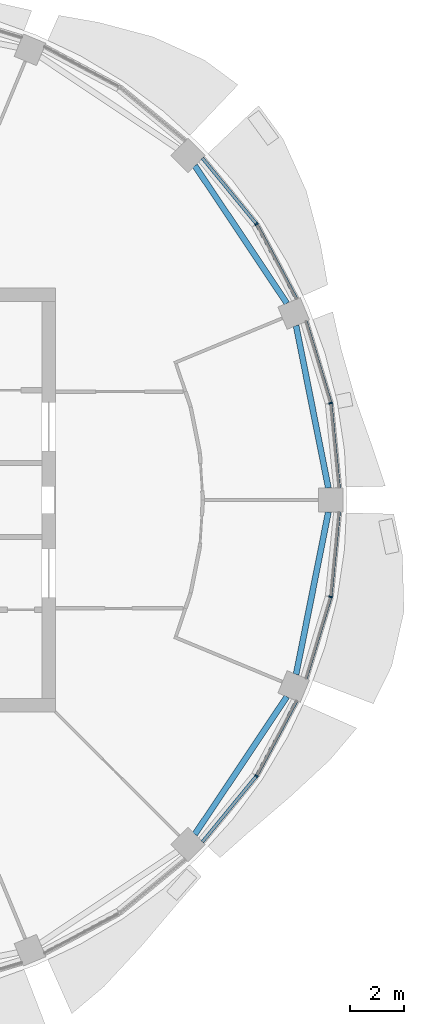
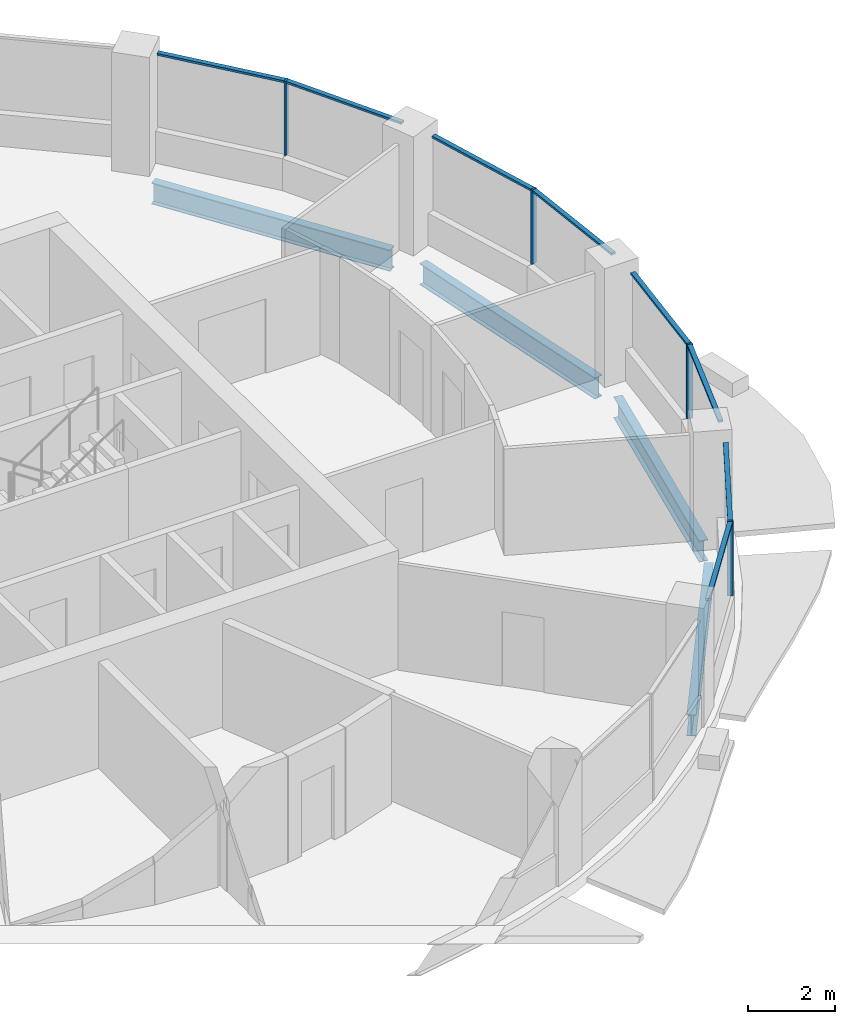
# One storey, part 5 of 15: 12 members, 4 beams, 4 elements without a shape of their own.
"""IFC4 building model written with IfcOpenShell, lengths in metres."""

import ifcopenshell
import ifcopenshell.guid

model = None  # the IFC model being written
_history = None  # IfcOwnerHistory: only IFC2X3 demands one
_inside = {}  # id of a spatial element -> (the spatial element, [elements in it])
_under = {}  # id of a project, library or spatial element -> (it, [spatial elements below it])
_declared = {}  # id of a project -> (the project, [libraries it declares])
_typed = {}  # id of a type object -> (the type object, [elements of that type])
_made_of = {}  # id of a material, layer set ... -> (it, [elements and type objects made of it])


def new_model(schema):
    """Start an empty IFC model of exactly this schema.

    Asked for "IFC4X3", IfcOpenShell would pick the latest addendum, in which some entities
    have other attributes; the version numbers below select the first issue.
    IFC2X3 requires an IfcOwnerHistory on every rooted entity: one is made here for all.
    """
    global model, _history
    if schema == "IFC4X3":
        model = ifcopenshell.file(schema_version=(4, 3, 0, 0))
    else:
        model = ifcopenshell.file(schema=schema)
    _inside.clear()
    _under.clear()
    _declared.clear()
    _typed.clear()
    _made_of.clear()
    _history = None
    if model.schema == "IFC2X3":
        org = make("IfcOrganization", Name="unknown")
        user = make(
            "IfcPersonAndOrganization",
            ThePerson=make("IfcPerson", FamilyName="unknown"),
            TheOrganization=org,
        )
        app = make(
            "IfcApplication",
            ApplicationDeveloper=org,
            Version="unknown",
            ApplicationFullName="unknown",
            ApplicationIdentifier="unknown",
        )
        _history = make(
            "IfcOwnerHistory",
            OwningUser=user,
            OwningApplication=app,
            ChangeAction="ADDED",
            CreationDate=0,
        )
    return model


def make(cls, **values):
    """One entity of the class cls with the attributes given. An attribute that is None is left unset."""
    return model.create_entity(
        cls, **{name: value for name, value in values.items() if value is not None}
    )


def rooted(cls, **values):
    """An entity with a GlobalId (a new one), such as an element, a storey or a relation."""
    return make(cls, GlobalId=ifcopenshell.guid.new(), OwnerHistory=_history, **values)


def si_unit(unit_type, name, prefix=None):
    """IfcSIUnit, for example si_unit("LENGTHUNIT", "METRE", prefix="MILLI")."""
    return make("IfcSIUnit", UnitType=unit_type, Prefix=prefix, Name=name)


def assignment(units):
    """IfcUnitAssignment: the units of a project."""
    return None if units is None else make("IfcUnitAssignment", Units=units)


def point(xyz):
    """IfcCartesianPoint."""
    return None if xyz is None else make("IfcCartesianPoint", Coordinates=xyz)


def direction(xyz):
    """IfcDirection."""
    return None if xyz is None else make("IfcDirection", DirectionRatios=xyz)


def frame(location, z_axis=None, x_axis=None):
    """IfcAxis2Placement3D, a coordinate frame: its origin and axes. An axis left out is left unset."""
    return make(
        "IfcAxis2Placement3D",
        Location=point(location),
        Axis=direction(z_axis),
        RefDirection=direction(x_axis),
    )


def frame_2d(location, x_axis=None):
    """IfcAxis2Placement2D, a coordinate frame in the plane: its origin and x axis."""
    return make(
        "IfcAxis2Placement2D", Location=point(location), RefDirection=direction(x_axis)
    )


def origin():
    """The frame at (0, 0, 0) with its axes left unset."""
    return frame((0.0, 0.0, 0.0))


def origin_2d():
    """The frame at (0, 0) in the plane with its x axis left unset."""
    return frame_2d((0.0, 0.0))


def place(relative_to, where):
    """IfcLocalPlacement: puts the frame where relative to a parent placement (None: the world)."""
    return make(
        "IfcLocalPlacement", PlacementRelTo=relative_to, RelativePlacement=where
    )


def context(
    kind, dimensions, precision=None, world=None, true_north=None, identifier=None
):
    """IfcGeometricRepresentationContext, for example the 3D "Model" context."""
    return make(
        "IfcGeometricRepresentationContext",
        ContextIdentifier=identifier,
        ContextType=kind,
        CoordinateSpaceDimension=dimensions,
        Precision=precision,
        WorldCoordinateSystem=world,
        TrueNorth=true_north,
    )


def subcontext(parent, identifier, kind, view, scale=None):
    """IfcGeometricRepresentationSubContext, for example "Body" below "Model"."""
    return make(
        "IfcGeometricRepresentationSubContext",
        ContextIdentifier=identifier,
        ContextType=kind,
        ParentContext=parent,
        TargetScale=scale,
        TargetView=view,
    )


def project(units=None, contexts=None):
    """IfcProject with its units and contexts."""
    return rooted(
        "IfcProject",
        Name="project",
        RepresentationContexts=contexts,
        UnitsInContext=assignment(units),
    )


def spatial(cls, under=None, at=None, **own):
    """A site, building, storey or space (cls), placed at a placement, below another one or the project."""
    s = rooted(cls, ObjectPlacement=at, **own)
    if under is not None:
        _under.setdefault(under.id(), (under, []))[1].append(s)
    return s


def profile(cls, at=None, kind="AREA", **sizes):
    """A parametric profile (cls). Its sizes go by their IFC names, for example OverallWidth=200.0."""
    return make(cls, ProfileType=kind, Position=at, **sizes)


def rectangle(**sizes):
    """IfcRectangleProfileDef."""
    return profile("IfcRectangleProfileDef", **sizes)


def i_section(**sizes):
    """IfcIShapeProfileDef."""
    return profile("IfcIShapeProfileDef", **sizes)


def extrude(swept, where, along, depth):
    """IfcExtrudedAreaSolid: the profile swept, set in the frame where, extruded along a direction by depth."""
    return make(
        "IfcExtrudedAreaSolid",
        SweptArea=swept,
        Position=where,
        ExtrudedDirection=direction(along),
        Depth=depth,
    )


def shape(context_of_items, identifier, shape_type, items):
    """IfcShapeRepresentation: the items that make up one representation, for example the "Body"."""
    return make(
        "IfcShapeRepresentation",
        ContextOfItems=context_of_items,
        RepresentationIdentifier=identifier,
        RepresentationType=shape_type,
        Items=items,
    )


def material(Name=None, Category=None):
    """IfcMaterial."""
    return make("IfcMaterial", Name=Name, Category=Category)


def material_profile(
    of_material, cross_section, Name=None, Category=None, Priority=None
):
    """IfcMaterialProfile: a cross section and its material."""
    return make(
        "IfcMaterialProfile",
        Name=Name,
        Material=of_material,
        Profile=cross_section,
        Priority=Priority,
        Category=Category,
    )


def profile_set(profiles, Name=None, composite=None):
    """IfcMaterialProfileSet."""
    return make(
        "IfcMaterialProfileSet",
        Name=Name,
        MaterialProfiles=profiles,
        CompositeProfile=composite,
    )


def made_of(thing, what):
    """Note that an element or type object is made of a material, layer set ...; save() writes the relation."""
    if what is not None:
        _made_of.setdefault(what.id(), (what, []))[1].append(thing)
    return thing


def type_object(cls, material=None, **own):
    """A type object (cls), such as IfcWallType, which elements share."""
    return made_of(rooted(cls, **own), material)


def element(
    cls,
    number,
    at=None,
    inside=None,
    cuts=None,
    type_object=None,
    material=None,
    context=None,
    identifier="Body",
    shape_type=None,
    held_by="IfcProductDefinitionShape",
    body=None,
    shapes=None,
    **own,
):
    """One element of the class cls, such as IfcWall. Its Tag is "e" and its number.

    at: its placement. inside: the storey or other place that contains it. cuts: it is an
    opening in that element (IfcRelVoidsElement). A single representation is given by context,
    identifier, shape_type and body (its items); several are given by shapes. held_by: the class
    of the entity that holds the representations. save() writes the other relations.
    """
    e = rooted(cls, Tag="e%d" % number, ObjectPlacement=at, **own)
    if body is not None:
        shapes = [shape(context, identifier, shape_type, body)]
    if shapes is not None:
        e.Representation = make(held_by, Representations=shapes)
    if inside is not None:
        _inside.setdefault(inside.id(), (inside, []))[1].append(e)
    if cuts is not None:
        rooted(
            "IfcRelVoidsElement", RelatingBuildingElement=cuts, RelatedOpeningElement=e
        )
    if type_object is not None:
        _typed.setdefault(type_object.id(), (type_object, []))[1].append(e)
    return made_of(e, material)


def aggregate(whole, parts):
    """IfcRelAggregates: a whole, such as a stair, and the parts it consists of."""
    return rooted("IfcRelAggregates", RelatingObject=whole, RelatedObjects=parts)


def save(model, path):
    """Write the relations noted so far, then the file.

    IfcRelAggregates (storeys below a building ...), IfcRelContainedInSpatialStructure (elements
    in a storey), IfcRelDefinesByType, IfcRelAssociatesMaterial and IfcRelDeclares: one each for
    every whole, place, type object, material and project.
    """
    for whole, parts in _under.values():
        aggregate(whole, parts)
    for where, things in _inside.values():
        rooted(
            "IfcRelContainedInSpatialStructure",
            RelatedElements=things,
            RelatingStructure=where,
        )
    for kind, things in _typed.values():
        rooted("IfcRelDefinesByType", RelatedObjects=things, RelatingType=kind)
    for what, things in _made_of.values():
        rooted("IfcRelAssociatesMaterial", RelatedObjects=things, RelatingMaterial=what)
    for by, libraries in _declared.values():
        rooted("IfcRelDeclares", RelatingContext=by, RelatedDefinitions=libraries)
    model.write(path)


model = new_model("IFC4")

# Units and contexts
model_context = context("Model", 3, precision=1e-05, world=origin(), true_north=direction((0.0, 1.0)))
body_context = subcontext(model_context, "Body", "Model", "MODEL_VIEW")
ifc_project = project(units=[si_unit("LENGTHUNIT", "METRE"), si_unit("AREAUNIT", "SQUARE_METRE"), si_unit("VOLUMEUNIT", "CUBIC_METRE"), si_unit("PLANEANGLEUNIT", "RADIAN"), si_unit("MASSUNIT", "GRAM", prefix="KILO")], contexts=[model_context])

# Site, building, storey
site_placement = place(None, origin())
site = spatial("IfcSite", under=ifc_project, at=site_placement, CompositionType="ELEMENT")
building_placement = place(site_placement, origin())
building = spatial("IfcBuilding", under=site, at=building_placement, Name="Polderwave Tower", CompositionType="ELEMENT")
storey_placement = place(building_placement, frame((0.0, 0.0, 170.89990234375)))
storey = spatial("IfcBuildingStorey", under=building, at=storey_placement, Name="L45", CompositionType="ELEMENT", Elevation=170.89990234375)

# Curtain wall, member
ifc_material_1 = material(Name="Aluminium 6063-T6 and glass", Category="aluminium")
curtain_wall_type = type_object("IfcCurtainWallType", Name="Office ribbon glazing wall", PredefinedType="NOTDEFINED", material=ifc_material_1)
curtain_wall_1_placement = place(storey_placement, origin())
curtain_wall_1 = element("IfcCurtainWall", 1, at=curtain_wall_1_placement, inside=storey, type_object=curtain_wall_type, Name="CW3 L45 00", PredefinedType="NOTDEFINED")
ifc_material_2 = material(Name="Aluminium 6063-T6", Category="aluminium")
ifc_material_profile_1 = material_profile(ifc_material_2, rectangle(XDim=0.139892578125, YDim=0.054931640625, at=origin_2d()), Name="AL 55x140")
ifc_profile_set_1 = profile_set([ifc_material_profile_1], Name="Aluminium 6063-T6")
member_type_1 = type_object("IfcMemberType", Name="Office ribbon glazing mullion 55x140", PredefinedType="MULLION", material=ifc_profile_set_1)
member_1_placement = place(storey_placement, frame((18.094970703125, 3.59912109375, 0.900146484375), z_axis=(0.0, 0.0, 1.0), x_axis=(-0.980783918392, -0.195097169184, 0.0)))
member_1 = element("IfcMember", 2, at=member_1_placement, type_object=member_type_1, Name="CW3 mullion 1", PredefinedType="MULLION", context=body_context, shape_type="SweptSolid", body=[
    extrude(rectangle(XDim=0.139892578125, YDim=0.054931640625, at=origin_2d()), origin(), (0.0, 0.0, 1.0), 2.099853515625),
])

curtain_wall_2_placement = place(storey_placement, origin())
curtain_wall_2 = element("IfcCurtainWall", 3, at=curtain_wall_2_placement, inside=storey, type_object=curtain_wall_type, Name="CW3 L45 01", PredefinedType="NOTDEFINED")
member_2_placement = place(storey_placement, frame((15.341064453125, 10.25, 0.900146484375), z_axis=(0.0, 0.0, 1.0), x_axis=(-0.831547176436, -0.555454132545, 0.0)))
member_2 = element("IfcMember", 4, at=member_2_placement, type_object=member_type_1, Name="CW3 mullion 1", PredefinedType="MULLION", context=body_context, shape_type="SweptSolid", body=[
    extrude(rectangle(XDim=0.139892578125, YDim=0.054931640625, at=origin_2d()), origin(), (0.0, 0.0, 1.0), 2.099853515625),
])

curtain_wall_3_placement = place(storey_placement, origin())
curtain_wall_3 = element("IfcCurtainWall", 5, at=curtain_wall_3_placement, inside=storey, type_object=curtain_wall_type, Name="CW3 L45 14", PredefinedType="NOTDEFINED")
member_3_placement = place(storey_placement, frame((15.341064453125, -10.25, 0.900146484375), z_axis=(0.0, 0.0, 1.0), x_axis=(-0.831547176436, 0.555454132545, 0.0)))
member_3 = element("IfcMember", 6, at=member_3_placement, type_object=member_type_1, Name="CW3 mullion 1", PredefinedType="MULLION", context=body_context, shape_type="SweptSolid", body=[
    extrude(rectangle(XDim=0.139892578125, YDim=0.054931640625, at=origin_2d()), origin(), (0.0, 0.0, 1.0), 2.099853515625),
])

curtain_wall_4_placement = place(storey_placement, origin())
curtain_wall_4 = element("IfcCurtainWall", 7, at=curtain_wall_4_placement, inside=storey, type_object=curtain_wall_type, Name="CW3 L45 15", PredefinedType="NOTDEFINED")
member_4_placement = place(storey_placement, frame((18.094970703125, -3.59912109375, 0.900146484375), z_axis=(0.0, 0.0, 1.0), x_axis=(-0.980783918392, 0.195097169184, 0.0)))
member_4 = element("IfcMember", 8, at=member_4_placement, type_object=member_type_1, Name="CW3 mullion 1", PredefinedType="MULLION", context=body_context, shape_type="SweptSolid", body=[
    extrude(rectangle(XDim=0.139892578125, YDim=0.054931640625, at=origin_2d()), origin(), (0.0, 0.0, 1.0), 2.099853515625),
])

# Member
ifc_material_profile_2 = material_profile(ifc_material_2, rectangle(XDim=0.1201171875, YDim=0.06005859375, at=origin_2d()), Name="AL 60x120")
ifc_profile_set_2 = profile_set([ifc_material_profile_2], Name="Aluminium 6063-T6")
member_type_2 = type_object("IfcMemberType", Name="Office ribbon glazing transom 60x120", PredefinedType="USERDEFINED", material=ifc_profile_set_2)
member_5_placement = place(storey_placement, frame((18.406005859375, 0.449951171875, 2.97021484375), z_axis=(-0.098301492731, 0.995156679386, 0.0), x_axis=(-0.995156679386, -0.098301492731, 0.0)))
member_5 = element("IfcMember", 9, at=member_5_placement, type_object=member_type_2, Name="CW3 transom 1", ObjectType="TRANSOM", PredefinedType="USERDEFINED", context=body_context, shape_type="SweptSolid", body=[
    extrude(rectangle(XDim=0.1201171875, YDim=0.06005859375, at=origin_2d()), origin(), (0.0, 0.0, 1.0), 3.13671875),
])

member_6_placement = place(storey_placement, frame((18.0869140625, 3.625244140625, 2.97021484375), z_axis=(-0.29000955494, 0.957023749989, 0.0), x_axis=(-0.957023749989, -0.29000955494, 0.0)))
member_6 = element("IfcMember", 10, at=member_6_placement, type_object=member_type_2, Name="CW3 transom 2", ObjectType="TRANSOM", PredefinedType="USERDEFINED", context=body_context, shape_type="SweptSolid", body=[
    extrude(rectangle(XDim=0.1201171875, YDim=0.06005859375, at=origin_2d()), origin(), (0.0, 0.0, 1.0), 3.137451171875),
])

aggregate(curtain_wall_1, [member_1, member_5, member_6])

member_7_placement = place(storey_placement, frame((16.83203125, 7.458984375, 2.97021484375), z_axis=(-0.471210255925, 0.882020915121, 0.0), x_axis=(-0.882020915121, -0.471210255925, 0.0)))
member_7 = element("IfcMember", 11, at=member_7_placement, type_object=member_type_2, Name="CW3 transom 1", ObjectType="TRANSOM", PredefinedType="USERDEFINED", context=body_context, shape_type="SweptSolid", body=[
    extrude(rectangle(XDim=0.1201171875, YDim=0.06005859375, at=origin_2d()), origin(), (0.0, 0.0, 1.0), 3.13671875),
])

member_8_placement = place(storey_placement, frame((15.323486328125, 10.271240234375, 2.97021484375), z_axis=(-0.634334495686, 0.773058696079, 0.0), x_axis=(-0.773058696079, -0.634334495686, 0.0)))
member_8 = element("IfcMember", 12, at=member_8_placement, type_object=member_type_2, Name="CW3 transom 2", ObjectType="TRANSOM", PredefinedType="USERDEFINED", context=body_context, shape_type="SweptSolid", body=[
    extrude(rectangle(XDim=0.1201171875, YDim=0.06005859375, at=origin_2d()), origin(), (0.0, 0.0, 1.0), 3.137939453125),
])

aggregate(curtain_wall_2, [member_2, member_7, member_8])

member_9_placement = place(storey_placement, frame((13.3330078125, -12.697021484375, 2.97021484375), z_axis=(0.634334495686, 0.773058696079, 0.0), x_axis=(-0.773058696079, 0.634334495686, 0.0)))
member_9 = element("IfcMember", 13, at=member_9_placement, type_object=member_type_2, Name="CW3 transom 1", ObjectType="TRANSOM", PredefinedType="USERDEFINED", context=body_context, shape_type="SweptSolid", body=[
    extrude(rectangle(XDim=0.1201171875, YDim=0.06005859375, at=origin_2d()), origin(), (0.0, 0.0, 1.0), 3.137939453125),
])

member_10_placement = place(storey_placement, frame((15.35400390625, -10.2255859375, 2.97021484375), z_axis=(0.471210255925, 0.882020915121, 0.0), x_axis=(-0.882020915121, 0.471210255925, 0.0)))
member_10 = element("IfcMember", 14, at=member_10_placement, type_object=member_type_2, Name="CW3 transom 2", ObjectType="TRANSOM", PredefinedType="USERDEFINED", context=body_context, shape_type="SweptSolid", body=[
    extrude(rectangle(XDim=0.1201171875, YDim=0.06005859375, at=origin_2d()), origin(), (0.0, 0.0, 1.0), 3.13671875),
])

aggregate(curtain_wall_3, [member_3, member_9, member_10])

member_11_placement = place(storey_placement, frame((17.177001953125, -6.6279296875, 2.97021484375), z_axis=(0.29000955494, 0.957023749989, 0.0), x_axis=(-0.957023749989, 0.29000955494, 0.0)))
member_11 = element("IfcMember", 15, at=member_11_placement, type_object=member_type_2, Name="CW3 transom 1", ObjectType="TRANSOM", PredefinedType="USERDEFINED", context=body_context, shape_type="SweptSolid", body=[
    extrude(rectangle(XDim=0.1201171875, YDim=0.06005859375, at=origin_2d()), origin(), (0.0, 0.0, 1.0), 3.137451171875),
])

member_12_placement = place(storey_placement, frame((18.09765625, -3.571533203125, 2.97021484375), z_axis=(0.098301492731, 0.995156679386, 0.0), x_axis=(-0.995156679386, 0.098301492731, 0.0)))
member_12 = element("IfcMember", 16, at=member_12_placement, type_object=member_type_2, Name="CW3 transom 2", ObjectType="TRANSOM", PredefinedType="USERDEFINED", context=body_context, shape_type="SweptSolid", body=[
    extrude(rectangle(XDim=0.1201171875, YDim=0.06005859375, at=origin_2d()), origin(), (0.0, 0.0, 1.0), 3.13671875),
])

aggregate(curtain_wall_4, [member_4, member_11, member_12])

# Beams
ifc_material_3 = material(Name="Steel S355", Category="steel")
ifc_material_profile_3 = material_profile(ifc_material_3, i_section(OverallWidth=0.219970703125, OverallDepth=0.60009765625, WebThickness=0.011962890625, FlangeThickness=0.01904296875, at=origin_2d()), Name="IPE 600")
ifc_profile_set_3 = profile_set([ifc_material_profile_3], Name="Steel S355")
beam_type = type_object("IfcBeamType", Name="RING BEAM IPE 600", PredefinedType="BEAM", material=ifc_profile_set_3)
for number, where, z_axis, x_axis, name in (
    (17, (18.010498046875, 0.449951171875, -0.64990234375), (-0.195084520666, 0.980786434346, 0.0), (-0.980786434346, -0.195084520666, 0.0), "ST-RB-L45-00"),
    (18, (16.46728515625, 7.30810546875, -0.64990234375), (-0.555570937424, 0.831469141634, 0.0), (-0.831469141634, -0.555570937424, 0.0), "ST-RB-L45-01"),
    (19, (13.053466796875, -12.417236328125, -0.64990234375), (0.555570937424, 0.831469141634, 0.0), (-0.831469141634, 0.555570937424, 0.0), "ST-RB-L45-14"),
    (20, (16.811767578125, -6.4765625, -0.64990234375), (0.195084520666, 0.980786434346, 0.0), (-0.980786434346, 0.195084520666, 0.0), "ST-RB-L45-15"),
):
    element("IfcBeam", number, at=place(storey_placement, frame(where, z_axis=z_axis, x_axis=x_axis)), inside=storey, type_object=beam_type, Name=name, PredefinedType="BEAM", context=body_context, shape_type="SweptSolid", body=[
        extrude(i_section(OverallWidth=0.219970703125, OverallDepth=0.60009765625, WebThickness=0.011962890625, FlangeThickness=0.01904296875, at=origin_2d()), origin(), (0.0, 0.0, 1.0), 6.144775390625),
    ])

save(model, "model.ifc")
